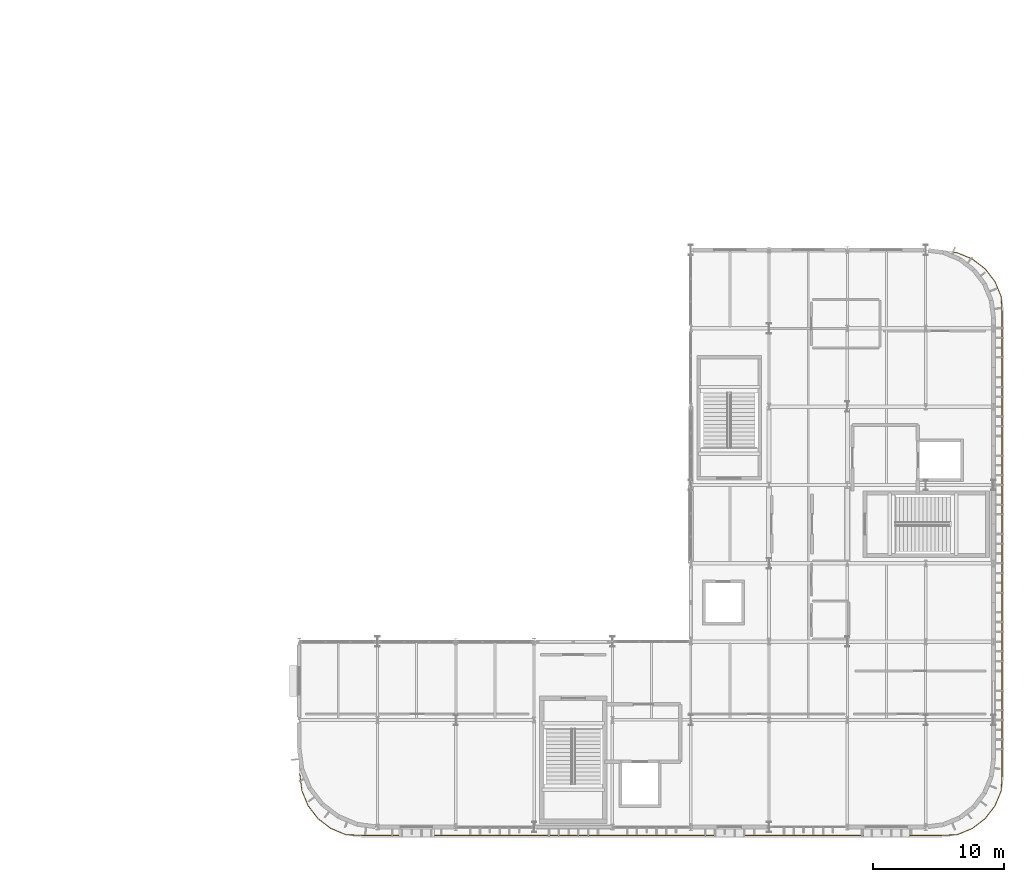
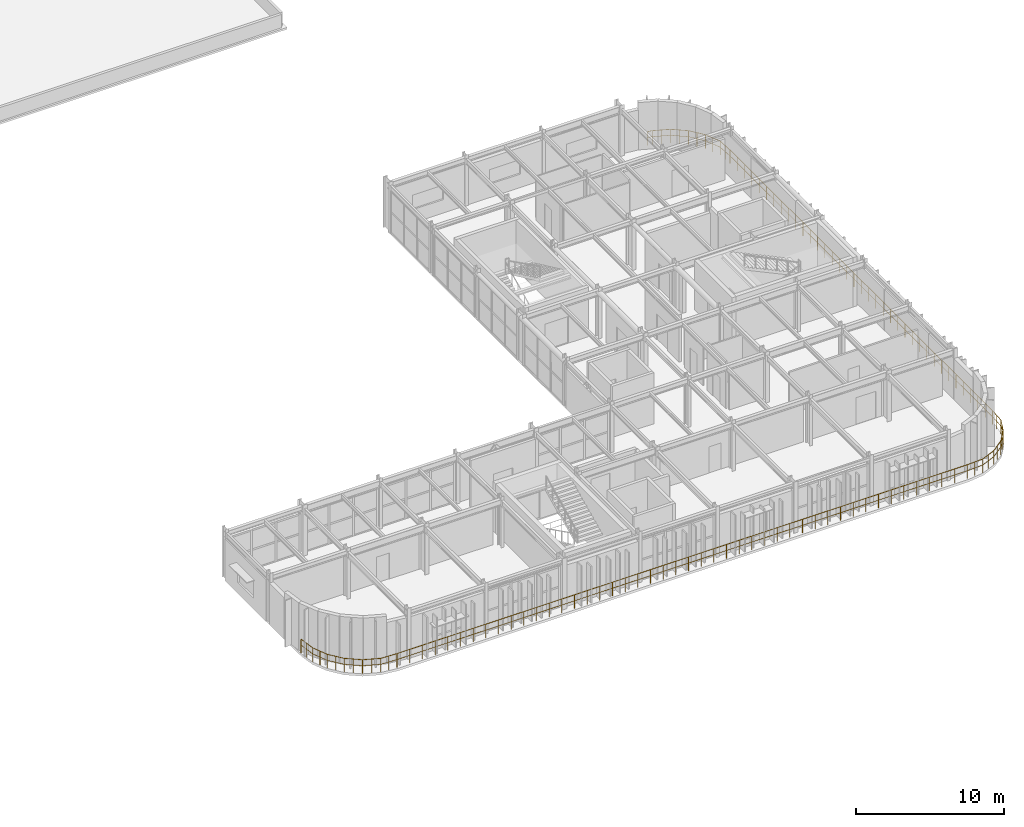
# One storey, part 82 of 83: 1 railing.
"""IFC4 building model written with IfcOpenShell, lengths in metres."""

from ifc_helpers import new_model, si_unit, direction, frame, origin, origin_2d, place, context, subcontext, project, spatial, circle, extrude, material, type_object, element, save


model = new_model("IFC4")

# Units and contexts
model_context = context("Model", 3, precision=1e-05, world=origin(), true_north=direction((0.0, 1.0)))
body_context = subcontext(model_context, "Body", "Model", "MODEL_VIEW")
ifc_project = project(units=[si_unit("LENGTHUNIT", "METRE"), si_unit("AREAUNIT", "SQUARE_METRE"), si_unit("VOLUMEUNIT", "CUBIC_METRE"), si_unit("PLANEANGLEUNIT", "RADIAN"), si_unit("MASSUNIT", "GRAM", prefix="KILO")], contexts=[model_context])

# Site, building, storey
site_placement = place(None, origin())
site = spatial("IfcSite", under=ifc_project, at=site_placement, CompositionType="ELEMENT")
building_placement = place(site_placement, origin())
building = spatial("IfcBuilding", under=site, at=building_placement, Name="Varnakota Square Police Headquarters", CompositionType="ELEMENT")
storey_placement = place(building_placement, frame((0.0, 0.0, 18.0)))
storey = spatial("IfcBuildingStorey", under=building, at=storey_placement, Name="L04", CompositionType="ELEMENT", Elevation=18.0)

# Railing
ifc_material = material(Name="Galvanised Powder-Coated Steel Guardrail", Category="steel")
railing_type = type_object("IfcRailingType", Name="RL-BAL-1150", PredefinedType="BALUSTRADE", material=ifc_material)
railing_placement = place(storey_placement, frame((158.076171875, 44.834228515625, 0.0)))
element("IfcRailing", 1, at=railing_placement, inside=storey, type_object=railing_type, Name="Perimeter edge safety guard GD-AUTO-L04-080", PredefinedType="BALUSTRADE", context=body_context, shape_type="SweptSolid", body=[
    extrude(circle(Radius=0.02392578125, at=origin_2d()), frame((0.0, 0.0, 1.1259765625), z_axis=(0.991388830753, -0.130951083454, 0.0), x_axis=(0.130951083454, 0.991388830753, 0.0)), (0.0, 0.0, 1.0), 0.356201171875),
    extrude(circle(Radius=0.01806640625, at=origin_2d()), frame((0.0, 0.0, 0.63232421875), z_axis=(0.991388830753, -0.130951083454, 0.0), x_axis=(0.130951083454, 0.991388830753, 0.0)), (0.0, 0.0, 1.0), 0.356201171875),
    extrude(circle(Radius=0.02392578125, at=origin_2d()), frame((0.35302734375, -0.046630859375, 1.1259765625), z_axis=(0.92391364461, -0.38260106809, 0.0), x_axis=(0.38260106809, 0.92391364461, 0.0)), (0.0, 0.0, 1.0), 1.23974609375),
    extrude(circle(Radius=0.01806640625, at=origin_2d()), frame((0.35302734375, -0.046630859375, 0.63232421875), z_axis=(0.92391364461, -0.38260106809, 0.0), x_axis=(0.38260106809, 0.92391364461, 0.0)), (0.0, 0.0, 1.0), 1.23974609375),
    extrude(circle(Radius=0.02392578125, at=origin_2d()), frame((1.49853515625, -0.52099609375, 1.1259765625), z_axis=(0.793311537696, -0.608815903339, 0.0), x_axis=(0.608815903339, 0.793311537696, 0.0)), (0.0, 0.0, 1.0), 1.239990234375),
    extrude(circle(Radius=0.01806640625, at=origin_2d()), frame((1.49853515625, -0.52099609375, 0.63232421875), z_axis=(0.793311537696, -0.608815903339, 0.0), x_axis=(0.608815903339, 0.793311537696, 0.0)), (0.0, 0.0, 1.0), 1.239990234375),
    extrude(circle(Radius=0.02392578125, at=origin_2d()), frame((2.482177734375, -1.27587890625, 1.1259765625), z_axis=(0.608815903339, -0.793311537696, 0.0), x_axis=(0.793311537696, 0.608815903339, 0.0)), (0.0, 0.0, 1.0), 1.239990234375),
    extrude(circle(Radius=0.01806640625, at=origin_2d()), frame((2.482177734375, -1.27587890625, 0.63232421875), z_axis=(0.608815903339, -0.793311537696, 0.0), x_axis=(0.793311537696, 0.608815903339, 0.0)), (0.0, 0.0, 1.0), 1.239990234375),
    extrude(circle(Radius=0.02392578125, at=origin_2d()), frame((3.237060546875, -2.259521484375, 1.1259765625), z_axis=(0.38260106809, -0.92391364461, 0.0), x_axis=(0.92391364461, 0.38260106809, 0.0)), (0.0, 0.0, 1.0), 1.23974609375),
    extrude(circle(Radius=0.01806640625, at=origin_2d()), frame((3.237060546875, -2.259521484375, 0.63232421875), z_axis=(0.38260106809, -0.92391364461, 0.0), x_axis=(0.92391364461, 0.38260106809, 0.0)), (0.0, 0.0, 1.0), 1.23974609375),
    extrude(circle(Radius=0.02392578125, at=origin_2d()), frame((3.71142578125, -3.405029296875, 1.1259765625), z_axis=(0.05064806659, -0.99871656307, 0.0), x_axis=(0.99871656307, 0.05064806659, 0.0)), (0.0, 0.0, 1.0), 1.23388671875),
    extrude(circle(Radius=0.01806640625, at=origin_2d()), frame((3.71142578125, -3.405029296875, 0.63232421875), z_axis=(0.05064806659, -0.99871656307, 0.0), x_axis=(0.99871656307, 0.05064806659, 0.0)), (0.0, 0.0, 1.0), 1.23388671875),
    extrude(circle(Radius=0.02392578125, at=origin_2d()), frame((3.77392578125, -4.637451171875, 1.1259765625), z_axis=(0.0, -1.0, 0.0), x_axis=(1.0, 0.0, 0.0)), (0.0, 0.0, 1.0), 35.3935546875),
    extrude(circle(Radius=0.01806640625, at=origin_2d()), frame((3.77392578125, -4.637451171875, 0.63232421875), z_axis=(0.0, -1.0, 0.0), x_axis=(1.0, 0.0, 0.0)), (0.0, 0.0, 1.0), 35.3935546875),
    extrude(circle(Radius=0.02392578125, at=origin_2d()), frame((3.77392578125, -40.031005859375, 1.1259765625), z_axis=(-0.05064806659, -0.99871656307, 0.0), x_axis=(0.99871656307, -0.05064806659, 0.0)), (0.0, 0.0, 1.0), 1.23388671875),
    extrude(circle(Radius=0.01806640625, at=origin_2d()), frame((3.77392578125, -40.031005859375, 0.63232421875), z_axis=(-0.05064806659, -0.99871656307, 0.0), x_axis=(0.99871656307, -0.05064806659, 0.0)), (0.0, 0.0, 1.0), 1.23388671875),
    extrude(circle(Radius=0.02392578125, at=origin_2d()), frame((3.71142578125, -41.263427734375, 1.1259765625), z_axis=(-0.38260106809, -0.92391364461, 0.0), x_axis=(0.92391364461, -0.38260106809, 0.0)), (0.0, 0.0, 1.0), 1.23974609375),
    extrude(circle(Radius=0.01806640625, at=origin_2d()), frame((3.71142578125, -41.263427734375, 0.63232421875), z_axis=(-0.38260106809, -0.92391364461, 0.0), x_axis=(0.92391364461, -0.38260106809, 0.0)), (0.0, 0.0, 1.0), 1.23974609375),
    extrude(circle(Radius=0.02392578125, at=origin_2d()), frame((3.237060546875, -42.408935546875, 1.1259765625), z_axis=(-0.608815903339, -0.793311537696, 0.0), x_axis=(0.793311537696, -0.608815903339, 0.0)), (0.0, 0.0, 1.0), 1.239990234375),
    extrude(circle(Radius=0.01806640625, at=origin_2d()), frame((3.237060546875, -42.408935546875, 0.63232421875), z_axis=(-0.608815903339, -0.793311537696, 0.0), x_axis=(0.793311537696, -0.608815903339, 0.0)), (0.0, 0.0, 1.0), 1.239990234375),
    extrude(circle(Radius=0.02392578125, at=origin_2d()), frame((2.482177734375, -43.392578125, 1.1259765625), z_axis=(-0.793311537696, -0.608815903339, 0.0), x_axis=(0.608815903339, -0.793311537696, 0.0)), (0.0, 0.0, 1.0), 1.239990234375),
    extrude(circle(Radius=0.01806640625, at=origin_2d()), frame((2.482177734375, -43.392578125, 0.63232421875), z_axis=(-0.793311537696, -0.608815903339, 0.0), x_axis=(0.608815903339, -0.793311537696, 0.0)), (0.0, 0.0, 1.0), 1.239990234375),
    extrude(circle(Radius=0.02392578125, at=origin_2d()), frame((1.49853515625, -44.1474609375, 1.1259765625), z_axis=(-0.92391364461, -0.38260106809, 0.0), x_axis=(0.38260106809, -0.92391364461, 0.0)), (0.0, 0.0, 1.0), 1.23974609375),
    extrude(circle(Radius=0.01806640625, at=origin_2d()), frame((1.49853515625, -44.1474609375, 0.63232421875), z_axis=(-0.92391364461, -0.38260106809, 0.0), x_axis=(0.38260106809, -0.92391364461, 0.0)), (0.0, 0.0, 1.0), 1.23974609375),
    extrude(circle(Radius=0.02392578125, at=origin_2d()), frame((0.35302734375, -44.621826171875, 1.1259765625), z_axis=(-0.99871656307, -0.05064806659, 0.0), x_axis=(0.05064806659, -0.99871656307, 0.0)), (0.0, 0.0, 1.0), 1.23388671875),
    extrude(circle(Radius=0.01806640625, at=origin_2d()), frame((0.35302734375, -44.621826171875, 0.63232421875), z_axis=(-0.99871656307, -0.05064806659, 0.0), x_axis=(0.05064806659, -0.99871656307, 0.0)), (0.0, 0.0, 1.0), 1.23388671875),
    extrude(circle(Radius=0.02392578125, at=origin_2d()), frame((-0.87939453125, -44.684326171875, 1.1259765625), z_axis=(-1.0, 0.0, 0.0), x_axis=(0.0, -1.0, 0.0)), (0.0, 0.0, 1.0), 44.3935546875),
    extrude(circle(Radius=0.01806640625, at=origin_2d()), frame((-0.87939453125, -44.684326171875, 0.63232421875), z_axis=(-1.0, 0.0, 0.0), x_axis=(0.0, -1.0, 0.0)), (0.0, 0.0, 1.0), 44.3935546875),
    extrude(circle(Radius=0.02392578125, at=origin_2d()), frame((-45.27294921875, -44.684326171875, 1.1259765625), z_axis=(-0.99871656307, 0.05064806659, 0.0), x_axis=(-0.05064806659, -0.99871656307, 0.0)), (0.0, 0.0, 1.0), 1.23388671875),
    extrude(circle(Radius=0.01806640625, at=origin_2d()), frame((-45.27294921875, -44.684326171875, 0.63232421875), z_axis=(-0.99871656307, 0.05064806659, 0.0), x_axis=(-0.05064806659, -0.99871656307, 0.0)), (0.0, 0.0, 1.0), 1.23388671875),
    extrude(circle(Radius=0.02392578125, at=origin_2d()), frame((-46.50537109375, -44.621826171875, 1.1259765625), z_axis=(-0.92391364461, 0.38260106809, 0.0), x_axis=(-0.38260106809, -0.92391364461, 0.0)), (0.0, 0.0, 1.0), 1.23974609375),
    extrude(circle(Radius=0.01806640625, at=origin_2d()), frame((-46.50537109375, -44.621826171875, 0.63232421875), z_axis=(-0.92391364461, 0.38260106809, 0.0), x_axis=(-0.38260106809, -0.92391364461, 0.0)), (0.0, 0.0, 1.0), 1.23974609375),
    extrude(circle(Radius=0.02392578125, at=origin_2d()), frame((-47.65087890625, -44.1474609375, 1.1259765625), z_axis=(-0.793311537696, 0.608815903339, 0.0), x_axis=(-0.608815903339, -0.793311537696, 0.0)), (0.0, 0.0, 1.0), 1.239990234375),
    extrude(circle(Radius=0.01806640625, at=origin_2d()), frame((-47.65087890625, -44.1474609375, 0.63232421875), z_axis=(-0.793311537696, 0.608815903339, 0.0), x_axis=(-0.608815903339, -0.793311537696, 0.0)), (0.0, 0.0, 1.0), 1.239990234375),
    extrude(circle(Radius=0.02392578125, at=origin_2d()), frame((-48.634521484375, -43.392578125, 1.1259765625), z_axis=(-0.608815903339, 0.793311537696, 0.0), x_axis=(-0.793311537696, -0.608815903339, 0.0)), (0.0, 0.0, 1.0), 1.239990234375),
    extrude(circle(Radius=0.01806640625, at=origin_2d()), frame((-48.634521484375, -43.392578125, 0.63232421875), z_axis=(-0.608815903339, 0.793311537696, 0.0), x_axis=(-0.793311537696, -0.608815903339, 0.0)), (0.0, 0.0, 1.0), 1.239990234375),
    extrude(circle(Radius=0.02392578125, at=origin_2d()), frame((-49.389404296875, -42.408935546875, 1.1259765625), z_axis=(-0.38260106809, 0.92391364461, 0.0), x_axis=(-0.92391364461, -0.38260106809, 0.0)), (0.0, 0.0, 1.0), 1.23974609375),
    extrude(circle(Radius=0.01806640625, at=origin_2d()), frame((-49.389404296875, -42.408935546875, 0.63232421875), z_axis=(-0.38260106809, 0.92391364461, 0.0), x_axis=(-0.92391364461, -0.38260106809, 0.0)), (0.0, 0.0, 1.0), 1.23974609375),
    extrude(circle(Radius=0.02392578125, at=origin_2d()), frame((-49.86376953125, -41.263427734375, 1.1259765625), z_axis=(-0.124750448097, 0.992188150352, 0.0), x_axis=(-0.992188150352, -0.124750448097, 0.0)), (0.0, 0.0, 1.0), 1.301513671875),
    extrude(circle(Radius=0.01806640625, at=origin_2d()), frame((-49.86376953125, -41.263427734375, 0.63232421875), z_axis=(-0.124750448097, 0.992188150352, 0.0), x_axis=(-0.992188150352, -0.124750448097, 0.0)), (0.0, 0.0, 1.0), 1.301513671875),
    extrude(circle(Radius=0.02099609375, at=origin_2d()), origin(), (0.0, 0.0, 1.0), 1.101806640625),
    extrude(circle(Radius=0.02099609375, at=origin_2d()), frame((0.35302734375, -0.046630859375, 0.0)), (0.0, 0.0, 1.0), 1.101806640625),
    extrude(circle(Radius=0.02099609375, at=origin_2d()), frame((0.92578125, -0.28369140625, 0.0)), (0.0, 0.0, 1.0), 1.101806640625),
    extrude(circle(Radius=0.02099609375, at=origin_2d()), frame((1.49853515625, -0.52099609375, 0.0)), (0.0, 0.0, 1.0), 1.101806640625),
    extrude(circle(Radius=0.02099609375, at=origin_2d()), frame((1.990234375, -0.8984375, 0.0)), (0.0, 0.0, 1.0), 1.101806640625),
    extrude(circle(Radius=0.02099609375, at=origin_2d()), frame((2.482177734375, -1.27587890625, 0.0)), (0.0, 0.0, 1.0), 1.101806640625),
    extrude(circle(Radius=0.02099609375, at=origin_2d()), frame((2.859619140625, -1.767578125, 0.0)), (0.0, 0.0, 1.0), 1.101806640625),
    extrude(circle(Radius=0.02099609375, at=origin_2d()), frame((3.237060546875, -2.259521484375, 0.0)), (0.0, 0.0, 1.0), 1.101806640625),
    extrude(circle(Radius=0.02099609375, at=origin_2d()), frame((3.47412109375, -2.832275390625, 0.0)), (0.0, 0.0, 1.0), 1.101806640625),
    extrude(circle(Radius=0.02099609375, at=origin_2d()), frame((3.71142578125, -3.405029296875, 0.0)), (0.0, 0.0, 1.0), 1.101806640625),
    extrude(circle(Radius=0.02099609375, at=origin_2d()), frame((3.74267578125, -4.021240234375, 0.0)), (0.0, 0.0, 1.0), 1.101806640625),
    extrude(circle(Radius=0.02099609375, at=origin_2d()), frame((3.77392578125, -4.637451171875, 0.0)), (0.0, 0.0, 1.0), 1.101806640625),
    extrude(circle(Radius=0.02099609375, at=origin_2d()), frame((3.77392578125, -5.62060546875, 0.0)), (0.0, 0.0, 1.0), 1.101806640625),
    extrude(circle(Radius=0.02099609375, at=origin_2d()), frame((3.77392578125, -6.603759765625, 0.0)), (0.0, 0.0, 1.0), 1.101806640625),
    extrude(circle(Radius=0.02099609375, at=origin_2d()), frame((3.77392578125, -7.5869140625, 0.0)), (0.0, 0.0, 1.0), 1.101806640625),
    extrude(circle(Radius=0.02099609375, at=origin_2d()), frame((3.77392578125, -8.570068359375, 0.0)), (0.0, 0.0, 1.0), 1.101806640625),
    extrude(circle(Radius=0.02099609375, at=origin_2d()), frame((3.77392578125, -9.55322265625, 0.0)), (0.0, 0.0, 1.0), 1.101806640625),
    extrude(circle(Radius=0.02099609375, at=origin_2d()), frame((3.77392578125, -10.536376953125, 0.0)), (0.0, 0.0, 1.0), 1.101806640625),
    extrude(circle(Radius=0.02099609375, at=origin_2d()), frame((3.77392578125, -11.51953125, 0.0)), (0.0, 0.0, 1.0), 1.101806640625),
    extrude(circle(Radius=0.02099609375, at=origin_2d()), frame((3.77392578125, -12.502685546875, 0.0)), (0.0, 0.0, 1.0), 1.101806640625),
    extrude(circle(Radius=0.02099609375, at=origin_2d()), frame((3.77392578125, -13.48583984375, 0.0)), (0.0, 0.0, 1.0), 1.101806640625),
    extrude(circle(Radius=0.02099609375, at=origin_2d()), frame((3.77392578125, -14.468994140625, 0.0)), (0.0, 0.0, 1.0), 1.101806640625),
    extrude(circle(Radius=0.02099609375, at=origin_2d()), frame((3.77392578125, -15.4521484375, 0.0)), (0.0, 0.0, 1.0), 1.101806640625),
    extrude(circle(Radius=0.02099609375, at=origin_2d()), frame((3.77392578125, -16.435302734375, 0.0)), (0.0, 0.0, 1.0), 1.101806640625),
    extrude(circle(Radius=0.02099609375, at=origin_2d()), frame((3.77392578125, -17.41845703125, 0.0)), (0.0, 0.0, 1.0), 1.101806640625),
    extrude(circle(Radius=0.02099609375, at=origin_2d()), frame((3.77392578125, -18.401611328125, 0.0)), (0.0, 0.0, 1.0), 1.101806640625),
    extrude(circle(Radius=0.02099609375, at=origin_2d()), frame((3.77392578125, -19.384765625, 0.0)), (0.0, 0.0, 1.0), 1.101806640625),
    extrude(circle(Radius=0.02099609375, at=origin_2d()), frame((3.77392578125, -20.367919921875, 0.0)), (0.0, 0.0, 1.0), 1.101806640625),
    extrude(circle(Radius=0.02099609375, at=origin_2d()), frame((3.77392578125, -21.35107421875, 0.0)), (0.0, 0.0, 1.0), 1.101806640625),
    extrude(circle(Radius=0.02099609375, at=origin_2d()), frame((3.77392578125, -22.334228515625, 0.0)), (0.0, 0.0, 1.0), 1.101806640625),
    extrude(circle(Radius=0.02099609375, at=origin_2d()), frame((3.77392578125, -23.3173828125, 0.0)), (0.0, 0.0, 1.0), 1.101806640625),
    extrude(circle(Radius=0.02099609375, at=origin_2d()), frame((3.77392578125, -24.300537109375, 0.0)), (0.0, 0.0, 1.0), 1.101806640625),
    extrude(circle(Radius=0.02099609375, at=origin_2d()), frame((3.77392578125, -25.28369140625, 0.0)), (0.0, 0.0, 1.0), 1.101806640625),
    extrude(circle(Radius=0.02099609375, at=origin_2d()), frame((3.77392578125, -26.266845703125, 0.0)), (0.0, 0.0, 1.0), 1.101806640625),
    extrude(circle(Radius=0.02099609375, at=origin_2d()), frame((3.77392578125, -27.25, 0.0)), (0.0, 0.0, 1.0), 1.101806640625),
    extrude(circle(Radius=0.02099609375, at=origin_2d()), frame((3.77392578125, -28.233154296875, 0.0)), (0.0, 0.0, 1.0), 1.101806640625),
    extrude(circle(Radius=0.02099609375, at=origin_2d()), frame((3.77392578125, -29.21630859375, 0.0)), (0.0, 0.0, 1.0), 1.101806640625),
    extrude(circle(Radius=0.02099609375, at=origin_2d()), frame((3.77392578125, -30.199462890625, 0.0)), (0.0, 0.0, 1.0), 1.101806640625),
    extrude(circle(Radius=0.02099609375, at=origin_2d()), frame((3.77392578125, -31.1826171875, 0.0)), (0.0, 0.0, 1.0), 1.101806640625),
    extrude(circle(Radius=0.02099609375, at=origin_2d()), frame((3.77392578125, -32.165771484375, 0.0)), (0.0, 0.0, 1.0), 1.101806640625),
    extrude(circle(Radius=0.02099609375, at=origin_2d()), frame((3.77392578125, -33.14892578125, 0.0)), (0.0, 0.0, 1.0), 1.101806640625),
    extrude(circle(Radius=0.02099609375, at=origin_2d()), frame((3.77392578125, -34.132080078125, 0.0)), (0.0, 0.0, 1.0), 1.101806640625),
    extrude(circle(Radius=0.02099609375, at=origin_2d()), frame((3.77392578125, -35.115234375, 0.0)), (0.0, 0.0, 1.0), 1.101806640625),
    extrude(circle(Radius=0.02099609375, at=origin_2d()), frame((3.77392578125, -36.098388671875, 0.0)), (0.0, 0.0, 1.0), 1.101806640625),
    extrude(circle(Radius=0.02099609375, at=origin_2d()), frame((3.77392578125, -37.08154296875, 0.0)), (0.0, 0.0, 1.0), 1.101806640625),
    extrude(circle(Radius=0.02099609375, at=origin_2d()), frame((3.77392578125, -38.064697265625, 0.0)), (0.0, 0.0, 1.0), 1.101806640625),
    extrude(circle(Radius=0.02099609375, at=origin_2d()), frame((3.77392578125, -39.0478515625, 0.0)), (0.0, 0.0, 1.0), 1.101806640625),
    extrude(circle(Radius=0.02099609375, at=origin_2d()), frame((3.77392578125, -40.031005859375, 0.0)), (0.0, 0.0, 1.0), 1.101806640625),
    extrude(circle(Radius=0.02099609375, at=origin_2d()), frame((3.74267578125, -40.647216796875, 0.0)), (0.0, 0.0, 1.0), 1.101806640625),
    extrude(circle(Radius=0.02099609375, at=origin_2d()), frame((3.71142578125, -41.263427734375, 0.0)), (0.0, 0.0, 1.0), 1.101806640625),
    extrude(circle(Radius=0.02099609375, at=origin_2d()), frame((3.47412109375, -41.836181640625, 0.0)), (0.0, 0.0, 1.0), 1.101806640625),
    extrude(circle(Radius=0.02099609375, at=origin_2d()), frame((3.237060546875, -42.408935546875, 0.0)), (0.0, 0.0, 1.0), 1.101806640625),
    extrude(circle(Radius=0.02099609375, at=origin_2d()), frame((2.859619140625, -42.90087890625, 0.0)), (0.0, 0.0, 1.0), 1.101806640625),
    extrude(circle(Radius=0.02099609375, at=origin_2d()), frame((2.482177734375, -43.392578125, 0.0)), (0.0, 0.0, 1.0), 1.101806640625),
    extrude(circle(Radius=0.02099609375, at=origin_2d()), frame((1.990234375, -43.77001953125, 0.0)), (0.0, 0.0, 1.0), 1.101806640625),
    extrude(circle(Radius=0.02099609375, at=origin_2d()), frame((1.49853515625, -44.1474609375, 0.0)), (0.0, 0.0, 1.0), 1.101806640625),
    extrude(circle(Radius=0.02099609375, at=origin_2d()), frame((0.92578125, -44.384765625, 0.0)), (0.0, 0.0, 1.0), 1.101806640625),
    extrude(circle(Radius=0.02099609375, at=origin_2d()), frame((0.35302734375, -44.621826171875, 0.0)), (0.0, 0.0, 1.0), 1.101806640625),
    extrude(circle(Radius=0.02099609375, at=origin_2d()), frame((-0.26318359375, -44.653076171875, 0.0)), (0.0, 0.0, 1.0), 1.101806640625),
    extrude(circle(Radius=0.02099609375, at=origin_2d()), frame((-0.87939453125, -44.684326171875, 0.0)), (0.0, 0.0, 1.0), 1.101806640625),
    extrude(circle(Radius=0.02099609375, at=origin_2d()), frame((-1.865966796875, -44.684326171875, 0.0)), (0.0, 0.0, 1.0), 1.101806640625),
    extrude(circle(Radius=0.02099609375, at=origin_2d()), frame((-2.8525390625, -44.684326171875, 0.0)), (0.0, 0.0, 1.0), 1.101806640625),
    extrude(circle(Radius=0.02099609375, at=origin_2d()), frame((-3.8388671875, -44.684326171875, 0.0)), (0.0, 0.0, 1.0), 1.101806640625),
    extrude(circle(Radius=0.02099609375, at=origin_2d()), frame((-4.825439453125, -44.684326171875, 0.0)), (0.0, 0.0, 1.0), 1.101806640625),
    extrude(circle(Radius=0.02099609375, at=origin_2d()), frame((-5.81201171875, -44.684326171875, 0.0)), (0.0, 0.0, 1.0), 1.101806640625),
    extrude(circle(Radius=0.02099609375, at=origin_2d()), frame((-6.798583984375, -44.684326171875, 0.0)), (0.0, 0.0, 1.0), 1.101806640625),
    extrude(circle(Radius=0.02099609375, at=origin_2d()), frame((-7.78515625, -44.684326171875, 0.0)), (0.0, 0.0, 1.0), 1.101806640625),
    extrude(circle(Radius=0.02099609375, at=origin_2d()), frame((-8.771484375, -44.684326171875, 0.0)), (0.0, 0.0, 1.0), 1.101806640625),
    extrude(circle(Radius=0.02099609375, at=origin_2d()), frame((-9.758056640625, -44.684326171875, 0.0)), (0.0, 0.0, 1.0), 1.101806640625),
    extrude(circle(Radius=0.02099609375, at=origin_2d()), frame((-10.74462890625, -44.684326171875, 0.0)), (0.0, 0.0, 1.0), 1.101806640625),
    extrude(circle(Radius=0.02099609375, at=origin_2d()), frame((-11.731201171875, -44.684326171875, 0.0)), (0.0, 0.0, 1.0), 1.101806640625),
    extrude(circle(Radius=0.02099609375, at=origin_2d()), frame((-12.7177734375, -44.684326171875, 0.0)), (0.0, 0.0, 1.0), 1.101806640625),
    extrude(circle(Radius=0.02099609375, at=origin_2d()), frame((-13.7041015625, -44.684326171875, 0.0)), (0.0, 0.0, 1.0), 1.101806640625),
    extrude(circle(Radius=0.02099609375, at=origin_2d()), frame((-14.690673828125, -44.684326171875, 0.0)), (0.0, 0.0, 1.0), 1.101806640625),
    extrude(circle(Radius=0.02099609375, at=origin_2d()), frame((-15.67724609375, -44.684326171875, 0.0)), (0.0, 0.0, 1.0), 1.101806640625),
    extrude(circle(Radius=0.02099609375, at=origin_2d()), frame((-16.663818359375, -44.684326171875, 0.0)), (0.0, 0.0, 1.0), 1.101806640625),
    extrude(circle(Radius=0.02099609375, at=origin_2d()), frame((-17.650390625, -44.684326171875, 0.0)), (0.0, 0.0, 1.0), 1.101806640625),
    extrude(circle(Radius=0.02099609375, at=origin_2d()), frame((-18.63671875, -44.684326171875, 0.0)), (0.0, 0.0, 1.0), 1.101806640625),
    extrude(circle(Radius=0.02099609375, at=origin_2d()), frame((-19.623291015625, -44.684326171875, 0.0)), (0.0, 0.0, 1.0), 1.101806640625),
    extrude(circle(Radius=0.02099609375, at=origin_2d()), frame((-20.60986328125, -44.684326171875, 0.0)), (0.0, 0.0, 1.0), 1.101806640625),
    extrude(circle(Radius=0.02099609375, at=origin_2d()), frame((-21.596435546875, -44.684326171875, 0.0)), (0.0, 0.0, 1.0), 1.101806640625),
    extrude(circle(Radius=0.02099609375, at=origin_2d()), frame((-22.5830078125, -44.684326171875, 0.0)), (0.0, 0.0, 1.0), 1.101806640625),
    extrude(circle(Radius=0.02099609375, at=origin_2d()), frame((-23.5693359375, -44.684326171875, 0.0)), (0.0, 0.0, 1.0), 1.101806640625),
    extrude(circle(Radius=0.02099609375, at=origin_2d()), frame((-24.555908203125, -44.684326171875, 0.0)), (0.0, 0.0, 1.0), 1.101806640625),
    extrude(circle(Radius=0.02099609375, at=origin_2d()), frame((-25.54248046875, -44.684326171875, 0.0)), (0.0, 0.0, 1.0), 1.101806640625),
    extrude(circle(Radius=0.02099609375, at=origin_2d()), frame((-26.529052734375, -44.684326171875, 0.0)), (0.0, 0.0, 1.0), 1.101806640625),
    extrude(circle(Radius=0.02099609375, at=origin_2d()), frame((-27.515625, -44.684326171875, 0.0)), (0.0, 0.0, 1.0), 1.101806640625),
    extrude(circle(Radius=0.02099609375, at=origin_2d()), frame((-28.501953125, -44.684326171875, 0.0)), (0.0, 0.0, 1.0), 1.101806640625),
    extrude(circle(Radius=0.02099609375, at=origin_2d()), frame((-29.488525390625, -44.684326171875, 0.0)), (0.0, 0.0, 1.0), 1.101806640625),
    extrude(circle(Radius=0.02099609375, at=origin_2d()), frame((-30.47509765625, -44.684326171875, 0.0)), (0.0, 0.0, 1.0), 1.101806640625),
    extrude(circle(Radius=0.02099609375, at=origin_2d()), frame((-31.461669921875, -44.684326171875, 0.0)), (0.0, 0.0, 1.0), 1.101806640625),
    extrude(circle(Radius=0.02099609375, at=origin_2d()), frame((-32.4482421875, -44.684326171875, 0.0)), (0.0, 0.0, 1.0), 1.101806640625),
    extrude(circle(Radius=0.02099609375, at=origin_2d()), frame((-33.4345703125, -44.684326171875, 0.0)), (0.0, 0.0, 1.0), 1.101806640625),
    extrude(circle(Radius=0.02099609375, at=origin_2d()), frame((-34.421142578125, -44.684326171875, 0.0)), (0.0, 0.0, 1.0), 1.101806640625),
    extrude(circle(Radius=0.02099609375, at=origin_2d()), frame((-35.40771484375, -44.684326171875, 0.0)), (0.0, 0.0, 1.0), 1.101806640625),
    extrude(circle(Radius=0.02099609375, at=origin_2d()), frame((-36.394287109375, -44.684326171875, 0.0)), (0.0, 0.0, 1.0), 1.101806640625),
    extrude(circle(Radius=0.02099609375, at=origin_2d()), frame((-37.380859375, -44.684326171875, 0.0)), (0.0, 0.0, 1.0), 1.101806640625),
    extrude(circle(Radius=0.02099609375, at=origin_2d()), frame((-38.3671875, -44.684326171875, 0.0)), (0.0, 0.0, 1.0), 1.101806640625),
    extrude(circle(Radius=0.02099609375, at=origin_2d()), frame((-39.353759765625, -44.684326171875, 0.0)), (0.0, 0.0, 1.0), 1.101806640625),
    extrude(circle(Radius=0.02099609375, at=origin_2d()), frame((-40.34033203125, -44.684326171875, 0.0)), (0.0, 0.0, 1.0), 1.101806640625),
    extrude(circle(Radius=0.02099609375, at=origin_2d()), frame((-41.326904296875, -44.684326171875, 0.0)), (0.0, 0.0, 1.0), 1.101806640625),
    extrude(circle(Radius=0.02099609375, at=origin_2d()), frame((-42.3134765625, -44.684326171875, 0.0)), (0.0, 0.0, 1.0), 1.101806640625),
    extrude(circle(Radius=0.02099609375, at=origin_2d()), frame((-43.2998046875, -44.684326171875, 0.0)), (0.0, 0.0, 1.0), 1.101806640625),
    extrude(circle(Radius=0.02099609375, at=origin_2d()), frame((-44.286376953125, -44.684326171875, 0.0)), (0.0, 0.0, 1.0), 1.101806640625),
    extrude(circle(Radius=0.02099609375, at=origin_2d()), frame((-45.27294921875, -44.684326171875, 0.0)), (0.0, 0.0, 1.0), 1.101806640625),
    extrude(circle(Radius=0.02099609375, at=origin_2d()), frame((-45.88916015625, -44.653076171875, 0.0)), (0.0, 0.0, 1.0), 1.101806640625),
    extrude(circle(Radius=0.02099609375, at=origin_2d()), frame((-46.50537109375, -44.621826171875, 0.0)), (0.0, 0.0, 1.0), 1.101806640625),
    extrude(circle(Radius=0.02099609375, at=origin_2d()), frame((-47.078125, -44.384765625, 0.0)), (0.0, 0.0, 1.0), 1.101806640625),
    extrude(circle(Radius=0.02099609375, at=origin_2d()), frame((-47.65087890625, -44.1474609375, 0.0)), (0.0, 0.0, 1.0), 1.101806640625),
    extrude(circle(Radius=0.02099609375, at=origin_2d()), frame((-48.142578125, -43.77001953125, 0.0)), (0.0, 0.0, 1.0), 1.101806640625),
    extrude(circle(Radius=0.02099609375, at=origin_2d()), frame((-48.634521484375, -43.392578125, 0.0)), (0.0, 0.0, 1.0), 1.101806640625),
    extrude(circle(Radius=0.02099609375, at=origin_2d()), frame((-49.011962890625, -42.90087890625, 0.0)), (0.0, 0.0, 1.0), 1.101806640625),
    extrude(circle(Radius=0.02099609375, at=origin_2d()), frame((-49.389404296875, -42.408935546875, 0.0)), (0.0, 0.0, 1.0), 1.101806640625),
    extrude(circle(Radius=0.02099609375, at=origin_2d()), frame((-49.62646484375, -41.836181640625, 0.0)), (0.0, 0.0, 1.0), 1.101806640625),
    extrude(circle(Radius=0.02099609375, at=origin_2d()), frame((-49.86376953125, -41.263427734375, 0.0)), (0.0, 0.0, 1.0), 1.101806640625),
    extrude(circle(Radius=0.02099609375, at=origin_2d()), frame((-49.94482421875, -40.61767578125, 0.0)), (0.0, 0.0, 1.0), 1.101806640625),
    extrude(circle(Radius=0.02099609375, at=origin_2d()), frame((-50.026123046875, -39.97216796875, 0.0)), (0.0, 0.0, 1.0), 1.101806640625),
])

save(model, "model.ifc")
